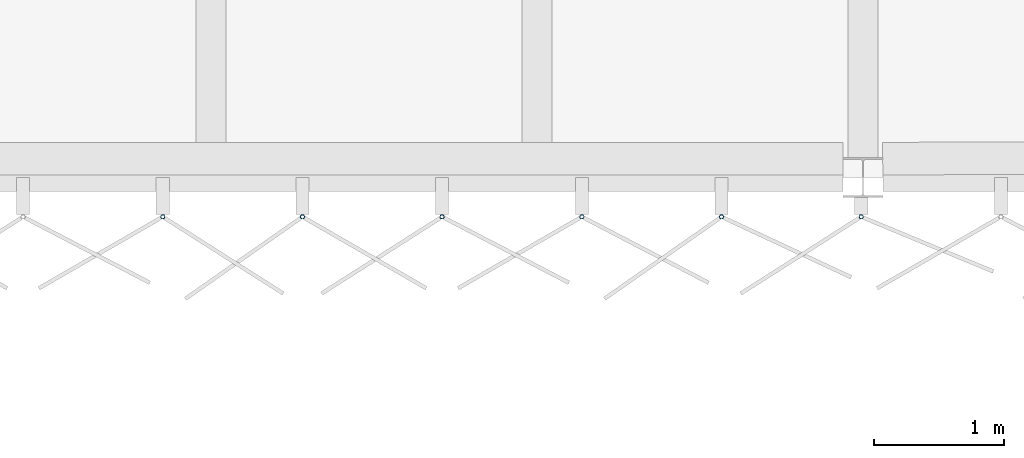
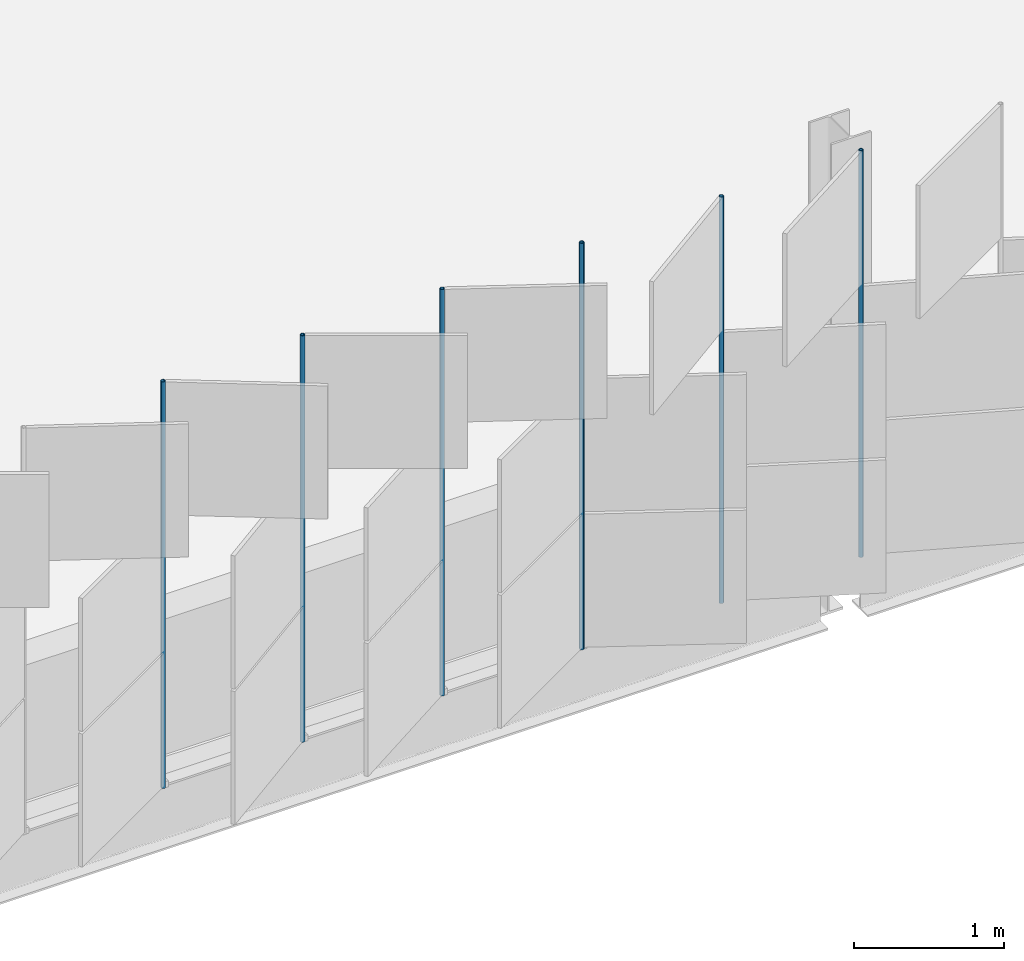
# One storey, part 70 of 198: 6 discrete accessories.
"""IFC4 building model written with IfcOpenShell, lengths in metres."""

from ifc_helpers import new_model, si_unit, direction, frame, origin, origin_2d, place, context, subcontext, project, spatial, hollow_circle, extrude, material, material_profile, profile_set, type_object, element, save


model = new_model("IFC4")

# Units and contexts
model_context = context("Model", 3, precision=1e-05, world=origin(), true_north=direction((0.0, 1.0)))
body_context = subcontext(model_context, "Body", "Model", "MODEL_VIEW")
ifc_project = project(units=[si_unit("LENGTHUNIT", "METRE"), si_unit("AREAUNIT", "SQUARE_METRE"), si_unit("VOLUMEUNIT", "CUBIC_METRE"), si_unit("PLANEANGLEUNIT", "RADIAN"), si_unit("MASSUNIT", "GRAM", prefix="KILO")], contexts=[model_context])

# Site, building, storey
site_placement = place(None, origin())
site = spatial("IfcSite", under=ifc_project, at=site_placement, CompositionType="ELEMENT")
building_placement = place(site_placement, origin())
building = spatial("IfcBuilding", under=site, at=building_placement, Name="Parallax Yard Mobility Hub", CompositionType="ELEMENT")
storey_placement = place(building_placement, frame((0.0, 0.0, 6.60009765625)))
storey = spatial("IfcBuildingStorey", under=building, at=storey_placement, Name="L02", CompositionType="ELEMENT", Elevation=6.60009765625)

# Discrete accessories
ifc_material = material(Name="Steel ASTM A500 Gr C, hot-dip galvanised", Category="steel")
ifc_material_profile = material_profile(ifc_material, hollow_circle(Radius=0.016845703125, WallThickness=0.003173828125, at=origin_2d()), Name="CHS 33.7x3.2")
ifc_profile_set = profile_set([ifc_material_profile], Name="Steel ASTM A500 Gr C, hot-dip galvanised")
discrete_accessory_type = type_object("IfcDiscreteAccessoryType", Name="Hinge post CHS 33.7x3.2", PredefinedType="BRACKET", material=ifc_profile_set)
for number, where, z_axis, x_axis, name in (
    (1, (47.12939453125, 112.199951171875, 0.0), (0.0, 0.0, 1.0), (1.0, 0.0, 0.0), "Hinge post bay 3.3 level L02"),
    (2, (48.20068359375, 112.199951171875, 0.0), (0.0, 0.0, 1.0), (1.0, 0.0, 0.0), "Hinge post bay 3.4 level L02"),
    (3, (49.272216796875, 112.199951171875, 0.0), (0.0, 0.0, 1.0), (1.0, 0.0, 0.0), "Hinge post bay 3.5 level L02"),
    (4, (50.34375, 112.199951171875, 0.0), (0.0, 0.0, 1.0), (1.0, 0.0, 0.0), "Hinge post bay 3.6 level L02"),
    (5, (51.415283203125, 112.199951171875, 0.0), (0.0, 0.0, 1.0), (1.0, 0.0, 0.0), "Hinge post bay 3.7 level L02"),
    (6, (52.48681640625, 112.199951171875, 0.0), (0.0, 0.0, 1.0), (1.0, 0.0, 0.0), "Hinge post bay 4.1 level L02"),
):
    element("IfcDiscreteAccessory", number, at=place(storey_placement, frame(where, z_axis=z_axis, x_axis=x_axis)), inside=storey, type_object=discrete_accessory_type, Name=name, PredefinedType="BRACKET", context=body_context, shape_type="SweptSolid", body=[
        extrude(hollow_circle(Radius=0.016845703125, WallThickness=0.003173828125, at=origin_2d()), origin(), (0.0, 0.0, 1.0), 3.2998046875),
    ])

save(model, "model.ifc")
